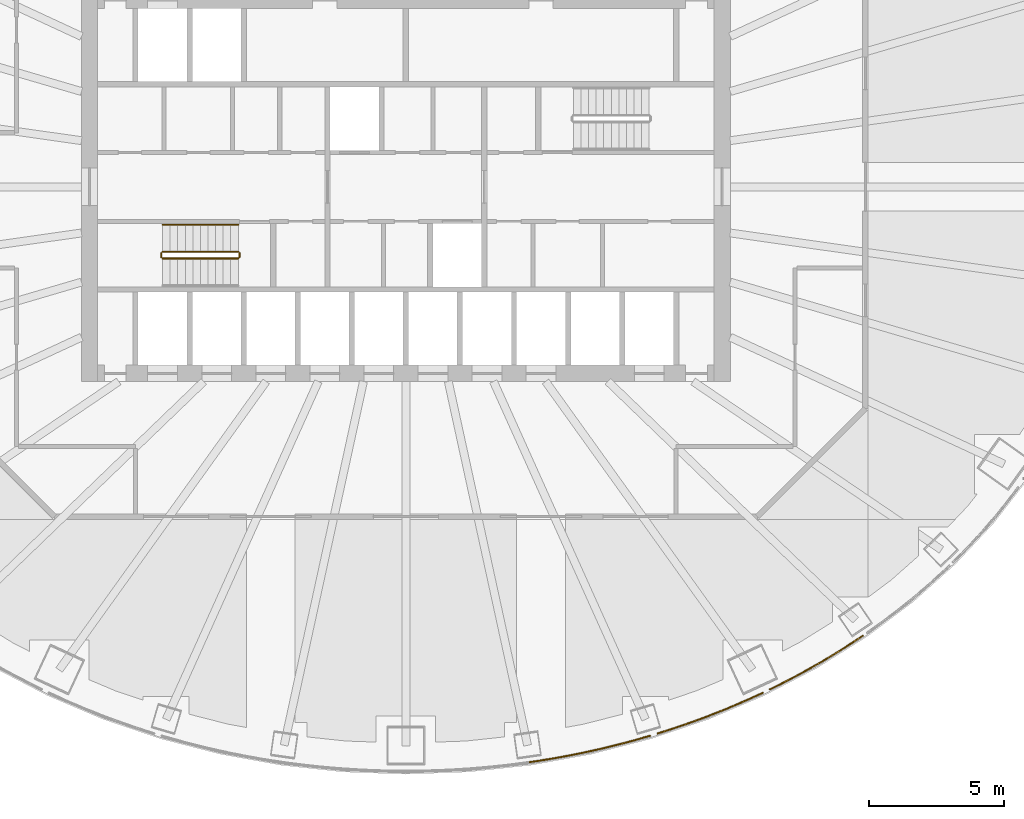
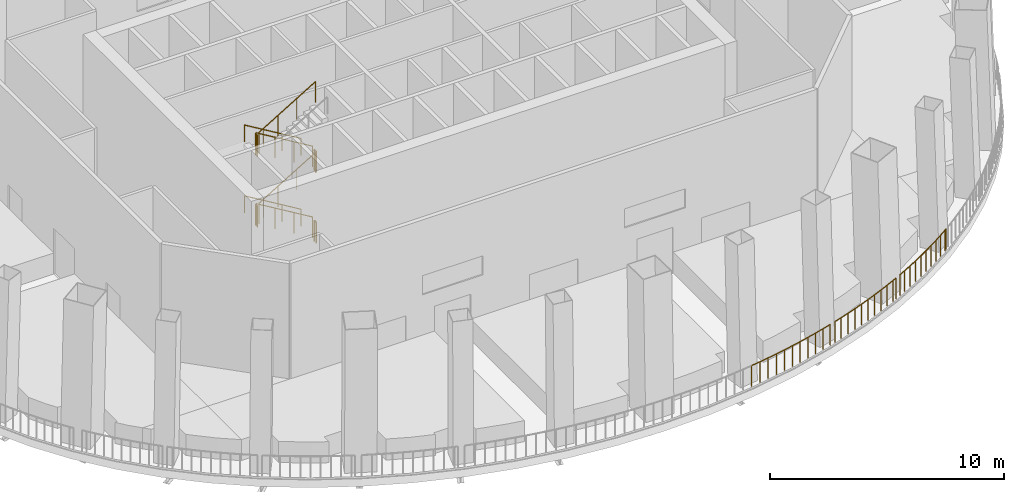
# One storey, part 10 of 13: 13 railings.
"""IFC4 building model written with IfcOpenShell, lengths in metres."""

from ifc_helpers import new_model, si_unit, direction, frame, origin, origin_2d, place, context, subcontext, project, spatial, circle, extrude, material, type_object, element, save


model = new_model("IFC4")

# Units and contexts
model_context = context("Model", 3, precision=1e-05, world=origin(), true_north=direction((0.0, 1.0)))
body_context = subcontext(model_context, "Body", "Model", "MODEL_VIEW")
ifc_project = project(units=[si_unit("LENGTHUNIT", "METRE"), si_unit("AREAUNIT", "SQUARE_METRE"), si_unit("VOLUMEUNIT", "CUBIC_METRE"), si_unit("PLANEANGLEUNIT", "RADIAN"), si_unit("MASSUNIT", "GRAM", prefix="KILO")], contexts=[model_context])

# Site, building, storey
site_placement = place(None, origin())
site = spatial("IfcSite", under=ifc_project, at=site_placement, CompositionType="ELEMENT")
building_placement = place(site_placement, origin())
building = spatial("IfcBuilding", under=site, at=building_placement, Name="Siaravel Broadcast Tower", CompositionType="ELEMENT")
storey_placement = place(building_placement, frame((0.0, 0.0, 85.199951171875)))
storey = spatial("IfcBuildingStorey", under=building, at=storey_placement, Name="L20", CompositionType="ELEMENT", Elevation=85.199951171875)

# Railings
ifc_material_1 = material(Name="Steel S355", Category="steel")
railing_type_1 = type_object("IfcRailingType", Name="Guard 1100", PredefinedType="GUARDRAIL", material=ifc_material_1)
railing_1_placement = place(storey_placement, frame((4.5859375, -21.2822265625, 0.080078125)))
element("IfcRailing", 1, at=railing_1_placement, inside=storey, type_object=railing_type_1, Name="L20 sky garden guard 29", PredefinedType="GUARDRAIL", context=body_context, shape_type="SweptSolid", body=[
    extrude(circle(Radius=0.02392578125, at=origin_2d()), frame((0.0, 0.0, 1.076171875), z_axis=(0.988744163, 0.149616107, 0.0), x_axis=(-0.149616107, 0.988744163, 0.0)), (0.0, 0.0, 1.0), 0.45849609375),
    extrude(circle(Radius=0.02392578125, at=origin_2d()), frame((0.453369140625, 0.068603515625, 1.076171875), z_axis=(0.986408338, 0.164312476, 0.0), x_axis=(-0.164312476, 0.986408338, 0.0)), (0.0, 0.0, 1.0), 0.45751953125),
    extrude(circle(Radius=0.02392578125, at=origin_2d()), frame((0.90478515625, 0.143798828125, 1.076171875), z_axis=(0.983895511, 0.178744575, 0.0), x_axis=(-0.178744575, 0.983895511, 0.0)), (0.0, 0.0, 1.0), 0.45751953125),
    extrude(circle(Radius=0.02392578125, at=origin_2d()), frame((1.35498046875, 0.2255859375, 1.076171875), z_axis=(0.981293946, 0.192515433, 0.0), x_axis=(-0.192515433, 0.981293946, 0.0)), (0.0, 0.0, 1.0), 0.45654296875),
    extrude(circle(Radius=0.02392578125, at=origin_2d()), frame((1.802978515625, 0.3134765625, 1.076171875), z_axis=(0.978316348, 0.207116207, 0.0), x_axis=(-0.207116207, 0.978316348, 0.0)), (0.0, 0.0, 1.0), 0.456298828125),
    extrude(circle(Radius=0.02392578125, at=origin_2d()), frame((2.249267578125, 0.407958984375, 1.076171875), z_axis=(0.97518023, 0.221412554, 0.0), x_axis=(-0.221412554, 0.97518023, 0.0)), (0.0, 0.0, 1.0), 0.455322265625),
    extrude(circle(Radius=0.02392578125, at=origin_2d()), frame((2.693359375, 0.5087890625, 1.076171875), z_axis=(0.971853829, 0.235584666, 0.0), x_axis=(-0.235584666, 0.971853829, 0.0)), (0.0, 0.0, 1.0), 0.454833984375),
    extrude(circle(Radius=0.02392578125, at=origin_2d()), frame((3.135498046875, 0.615966796875, 1.076171875), z_axis=(0.968344469, 0.249617685, 0.0), x_axis=(-0.249617685, 0.968344469, 0.0)), (0.0, 0.0, 1.0), 0.453857421875),
    extrude(circle(Radius=0.02392578125, at=origin_2d()), frame((3.574951171875, 0.729248046875, 1.076171875), z_axis=(0.964415038, 0.264392956, 0.0), x_axis=(-0.264392956, 0.964415038, 0.0)), (0.0, 0.0, 1.0), 0.453369140625),
    extrude(circle(Radius=0.02392578125, at=origin_2d()), frame((4.01220703125, 0.84912109375, 1.076171875), z_axis=(0.960560469, 0.278071187, 0.0), x_axis=(-0.278071187, 0.960560469, 0.0)), (0.0, 0.0, 1.0), 0.4521484375),
    extrude(circle(Radius=0.02099609375, at=origin_2d()), origin(), (0.0, 0.0, 1.0), 1.052001953125),
    extrude(circle(Radius=0.02099609375, at=origin_2d()), frame((0.453369140625, 0.068603515625, 0.0)), (0.0, 0.0, 1.0), 1.052001953125),
    extrude(circle(Radius=0.02099609375, at=origin_2d()), frame((0.90478515625, 0.143798828125, 0.0)), (0.0, 0.0, 1.0), 1.052001953125),
    extrude(circle(Radius=0.02099609375, at=origin_2d()), frame((1.35498046875, 0.2255859375, 0.0)), (0.0, 0.0, 1.0), 1.052001953125),
    extrude(circle(Radius=0.02099609375, at=origin_2d()), frame((1.802978515625, 0.3134765625, 0.0)), (0.0, 0.0, 1.0), 1.052001953125),
    extrude(circle(Radius=0.02099609375, at=origin_2d()), frame((2.249267578125, 0.407958984375, 0.0)), (0.0, 0.0, 1.0), 1.052001953125),
    extrude(circle(Radius=0.02099609375, at=origin_2d()), frame((2.693359375, 0.5087890625, 0.0)), (0.0, 0.0, 1.0), 1.052001953125),
    extrude(circle(Radius=0.02099609375, at=origin_2d()), frame((3.135498046875, 0.615966796875, 0.0)), (0.0, 0.0, 1.0), 1.052001953125),
    extrude(circle(Radius=0.02099609375, at=origin_2d()), frame((3.574951171875, 0.729248046875, 0.0)), (0.0, 0.0, 1.0), 1.052001953125),
    extrude(circle(Radius=0.02099609375, at=origin_2d()), frame((4.01220703125, 0.84912109375, 0.0)), (0.0, 0.0, 1.0), 1.052001953125),
    extrude(circle(Radius=0.02099609375, at=origin_2d()), frame((4.446533203125, 0.974853515625, 0.0)), (0.0, 0.0, 1.0), 1.052001953125),
])
railing_2_placement = place(storey_placement, frame((9.3115234375, -20.22265625, 0.080078125)))
element("IfcRailing", 2, at=railing_2_placement, inside=storey, type_object=railing_type_1, Name="L20 sky garden guard 30", PredefinedType="GUARDRAIL", context=body_context, shape_type="SweptSolid", body=[
    extrude(circle(Radius=0.02392578125, at=origin_2d()), frame((0.0, 0.0, 1.076171875), z_axis=(0.953869406, 0.300221845, 0.0), x_axis=(-0.300221845, 0.953869406, 0.0)), (0.0, 0.0, 1.0), 0.385498046875),
    extrude(circle(Radius=0.02392578125, at=origin_2d()), frame((0.36767578125, 0.11572265625, 1.076171875), z_axis=(0.949386197, 0.314111205, 0.0), x_axis=(-0.314111205, 0.949386197, 0.0)), (0.0, 0.0, 1.0), 0.449951171875),
    extrude(circle(Radius=0.02392578125, at=origin_2d()), frame((0.794921875, 0.257080078125, 1.076171875), z_axis=(0.944584748, 0.328267657, 0.0), x_axis=(-0.328267657, 0.944584748, 0.0)), (0.0, 0.0, 1.0), 0.44921875),
    extrude(circle(Radius=0.02392578125, at=origin_2d()), frame((1.21923828125, 0.404541015625, 1.076171875), z_axis=(0.939666121, 0.342092942, 0.0), x_axis=(-0.342092942, 0.939666121, 0.0)), (0.0, 0.0, 1.0), 0.4482421875),
    extrude(circle(Radius=0.02392578125, at=origin_2d()), frame((1.640380859375, 0.557861328125, 1.076171875), z_axis=(0.934201835, 0.356744911, 0.0), x_axis=(-0.356744911, 0.934201835, 0.0)), (0.0, 0.0, 1.0), 0.44677734375),
    extrude(circle(Radius=0.02392578125, at=origin_2d()), frame((2.057861328125, 0.71728515625, 1.076171875), z_axis=(0.928816023, 0.370541219, 0.0), x_axis=(-0.370541219, 0.928816023, 0.0)), (0.0, 0.0, 1.0), 0.446044921875),
    extrude(circle(Radius=0.02392578125, at=origin_2d()), frame((2.47216796875, 0.882568359375, 1.076171875), z_axis=(0.922930837, 0.384965804, 0.0), x_axis=(-0.384965804, 0.922930837, 0.0)), (0.0, 0.0, 1.0), 0.4453125),
    extrude(circle(Radius=0.02392578125, at=origin_2d()), frame((2.883056640625, 1.053955078125, 1.076171875), z_axis=(0.917026322, 0.398826685, 0.0), x_axis=(-0.398826685, 0.917026322, 0.0)), (0.0, 0.0, 1.0), 0.44384765625),
    extrude(circle(Radius=0.02392578125, at=origin_2d()), frame((3.2900390625, 1.23095703125, 1.076171875), z_axis=(0.910668474, 0.413137908, 0.0), x_axis=(-0.413137908, 0.910668474, 0.0)), (0.0, 0.0, 1.0), 0.442626953125),
    extrude(circle(Radius=0.02392578125, at=origin_2d()), frame((3.693115234375, 1.413818359375, 1.076171875), z_axis=(0.905843772, 0.423611923, 0.0), x_axis=(-0.423611923, 0.905843772, 0.0)), (0.0, 0.0, 1.0), 0.220703125),
    extrude(circle(Radius=0.02099609375, at=origin_2d()), origin(), (0.0, 0.0, 1.0), 1.052001953125),
    extrude(circle(Radius=0.02099609375, at=origin_2d()), frame((0.36767578125, 0.11572265625, 0.0)), (0.0, 0.0, 1.0), 1.052001953125),
    extrude(circle(Radius=0.02099609375, at=origin_2d()), frame((0.794921875, 0.257080078125, 0.0)), (0.0, 0.0, 1.0), 1.052001953125),
    extrude(circle(Radius=0.02099609375, at=origin_2d()), frame((1.21923828125, 0.404541015625, 0.0)), (0.0, 0.0, 1.0), 1.052001953125),
    extrude(circle(Radius=0.02099609375, at=origin_2d()), frame((1.640380859375, 0.557861328125, 0.0)), (0.0, 0.0, 1.0), 1.052001953125),
    extrude(circle(Radius=0.02099609375, at=origin_2d()), frame((2.057861328125, 0.71728515625, 0.0)), (0.0, 0.0, 1.0), 1.052001953125),
    extrude(circle(Radius=0.02099609375, at=origin_2d()), frame((2.47216796875, 0.882568359375, 0.0)), (0.0, 0.0, 1.0), 1.052001953125),
    extrude(circle(Radius=0.02099609375, at=origin_2d()), frame((2.883056640625, 1.053955078125, 0.0)), (0.0, 0.0, 1.0), 1.052001953125),
    extrude(circle(Radius=0.02099609375, at=origin_2d()), frame((3.2900390625, 1.23095703125, 0.0)), (0.0, 0.0, 1.0), 1.052001953125),
    extrude(circle(Radius=0.02099609375, at=origin_2d()), frame((3.693115234375, 1.413818359375, 0.0)), (0.0, 0.0, 1.0), 1.052001953125),
    extrude(circle(Radius=0.02099609375, at=origin_2d()), frame((3.89306640625, 1.50732421875, 0.0)), (0.0, 0.0, 1.0), 1.052001953125),
])
railing_3_placement = place(storey_placement, frame((13.467529296875, -18.58935546875, 0.080078125)))
element("IfcRailing", 3, at=railing_3_placement, inside=storey, type_object=railing_type_1, Name="L20 sky garden guard 31", PredefinedType="GUARDRAIL", context=body_context, shape_type="SweptSolid", body=[
    extrude(circle(Radius=0.02392578125, at=origin_2d()), frame((0.0, 0.0, 1.076171875), z_axis=(0.896924739, 0.442183235, 0.0), x_axis=(-0.442183235, 0.896924739, 0.0)), (0.0, 0.0, 1.0), 0.369384765625),
    extrude(circle(Radius=0.02392578125, at=origin_2d()), frame((0.331298828125, 0.163330078125, 1.076171875), z_axis=(0.89049979, 0.454983653, 0.0), x_axis=(-0.454983653, 0.89049979, 0.0)), (0.0, 0.0, 1.0), 0.43896484375),
    extrude(circle(Radius=0.02392578125, at=origin_2d()), frame((0.72216796875, 0.363037109375, 1.076171875), z_axis=(0.883000212, 0.469372587, 0.0), x_axis=(-0.469372587, 0.883000212, 0.0)), (0.0, 0.0, 1.0), 0.43798828125),
    extrude(circle(Radius=0.02392578125, at=origin_2d()), frame((1.10888671875, 0.568603515625, 1.076171875), z_axis=(0.87544711, 0.483313932, 0.0), x_axis=(-0.483313932, 0.87544711, 0.0)), (0.0, 0.0, 1.0), 0.4365234375),
    extrude(circle(Radius=0.02392578125, at=origin_2d()), frame((1.490966796875, 0.779541015625, 1.076171875), z_axis=(0.86762082, 0.497226421, 0.0), x_axis=(-0.497226421, 0.86762082, 0.0)), (0.0, 0.0, 1.0), 0.43505859375),
    extrude(circle(Radius=0.02392578125, at=origin_2d()), frame((1.868408203125, 0.995849609375, 1.076171875), z_axis=(0.859669452, 0.510850695, 0.0), x_axis=(-0.510850695, 0.859669452, 0.0)), (0.0, 0.0, 1.0), 0.433837890625),
    extrude(circle(Radius=0.02392578125, at=origin_2d()), frame((2.241455078125, 1.217529296875, 1.076171875), z_axis=(0.850998426, 0.525168239, 0.0), x_axis=(-0.525168239, 0.850998426, 0.0)), (0.0, 0.0, 1.0), 0.432373046875),
    extrude(circle(Radius=0.02392578125, at=origin_2d()), frame((2.609375, 1.444580078125, 1.076171875), z_axis=(0.84261061, 0.538523314, 0.0), x_axis=(-0.538523314, 0.84261061, 0.0)), (0.0, 0.0, 1.0), 0.43115234375),
    extrude(circle(Radius=0.02392578125, at=origin_2d()), frame((2.97265625, 1.6767578125, 1.076171875), z_axis=(0.833620557, 0.552337547, 0.0), x_axis=(-0.552337547, 0.833620557, 0.0)), (0.0, 0.0, 1.0), 0.4296875),
    extrude(circle(Radius=0.02392578125, at=origin_2d()), frame((3.330810546875, 1.9140625, 1.076171875), z_axis=(0.826506062, 0.562927819, 0.0), x_axis=(-0.562927819, 0.826506062, 0.0)), (0.0, 0.0, 1.0), 0.129638671875),
    extrude(circle(Radius=0.02099609375, at=origin_2d()), origin(), (0.0, 0.0, 1.0), 1.052001953125),
    extrude(circle(Radius=0.02099609375, at=origin_2d()), frame((0.331298828125, 0.163330078125, 0.0)), (0.0, 0.0, 1.0), 1.052001953125),
    extrude(circle(Radius=0.02099609375, at=origin_2d()), frame((0.72216796875, 0.363037109375, 0.0)), (0.0, 0.0, 1.0), 1.052001953125),
    extrude(circle(Radius=0.02099609375, at=origin_2d()), frame((1.10888671875, 0.568603515625, 0.0)), (0.0, 0.0, 1.0), 1.052001953125),
    extrude(circle(Radius=0.02099609375, at=origin_2d()), frame((1.490966796875, 0.779541015625, 0.0)), (0.0, 0.0, 1.0), 1.052001953125),
    extrude(circle(Radius=0.02099609375, at=origin_2d()), frame((1.868408203125, 0.995849609375, 0.0)), (0.0, 0.0, 1.0), 1.052001953125),
    extrude(circle(Radius=0.02099609375, at=origin_2d()), frame((2.241455078125, 1.217529296875, 0.0)), (0.0, 0.0, 1.0), 1.052001953125),
    extrude(circle(Radius=0.02099609375, at=origin_2d()), frame((2.609375, 1.444580078125, 0.0)), (0.0, 0.0, 1.0), 1.052001953125),
    extrude(circle(Radius=0.02099609375, at=origin_2d()), frame((2.97265625, 1.6767578125, 0.0)), (0.0, 0.0, 1.0), 1.052001953125),
    extrude(circle(Radius=0.02099609375, at=origin_2d()), frame((3.330810546875, 1.9140625, 0.0)), (0.0, 0.0, 1.0), 1.052001953125),
    extrude(circle(Radius=0.02099609375, at=origin_2d()), frame((3.43798828125, 1.987060546875, 0.0)), (0.0, 0.0, 1.0), 1.052001953125),
])
ifc_material_2 = material(Name="Stainless steel 316L", Category="steel")
railing_type_2 = type_object("IfcRailingType", Name="Stair guard 1100", PredefinedType="GUARDRAIL", material=ifc_material_2)
railing_4_placement = place(storey_placement, frame((-6.199951171875, -2.39990234375, 0.168212890625)))
element("IfcRailing", 4, at=railing_4_placement, inside=storey, type_object=railing_type_2, Name="L20 ST-1 stair guard 1", PredefinedType="GUARDRAIL", context=body_context, shape_type="SweptSolid", body=[
    extrude(circle(Radius=0.02392578125, at=origin_2d()), frame((0.0, 0.0, 1.076171875), z_axis=(-0.857242211, 0.0, 0.514913383), x_axis=(0.0, -1.0, 0.0)), (0.0, 0.0, 1.0), 3.266357421875),
    extrude(circle(Radius=0.02099609375, at=origin_2d()), origin(), (0.0, 0.0, 1.0), 1.052001953125),
    extrude(circle(Radius=0.02099609375, at=origin_2d()), frame((-0.933349609375, 0.0, 0.560546875)), (0.0, 0.0, 1.0), 1.052001953125),
    extrude(circle(Radius=0.02099609375, at=origin_2d()), frame((-1.86669921875, 0.0, 1.121337890625)), (0.0, 0.0, 1.0), 1.052001953125),
    extrude(circle(Radius=0.02099609375, at=origin_2d()), frame((-2.800048828125, 0.0, 1.681884765625)), (0.0, 0.0, 1.0), 1.052001953125),
])
railing_5_placement = place(storey_placement, frame((-9.050048828125, -2.449951171875, 1.85009765625)))
element("IfcRailing", 5, at=railing_5_placement, inside=storey, type_object=railing_type_2, Name="L20 ST-1 stair guard 2", PredefinedType="GUARDRAIL", context=body_context, shape_type="SweptSolid", body=[
    extrude(circle(Radius=0.02392578125, at=origin_2d()), frame((0.0, 0.0, 1.076171875), z_axis=(0.0, -1.0, 0.0), x_axis=(1.0, 0.0, 0.0)), (0.0, 0.0, 1.0), 0.150146484375),
    extrude(circle(Radius=0.02099609375, at=origin_2d()), origin(), (0.0, 0.0, 1.0), 1.052001953125),
    extrude(circle(Radius=0.02099609375, at=origin_2d()), frame((0.0, -0.150146484375, 0.0)), (0.0, 0.0, 1.0), 1.052001953125),
])
railing_6_placement = place(storey_placement, frame((-9.0, -2.64990234375, 2.018310546875)))
element("IfcRailing", 6, at=railing_6_placement, inside=storey, type_object=railing_type_2, Name="L20 ST-1 stair guard 3", PredefinedType="GUARDRAIL", context=body_context, shape_type="SweptSolid", body=[
    extrude(circle(Radius=0.02392578125, at=origin_2d()), frame((0.0, 0.0, 1.076171875), z_axis=(0.857275203, 0.0, 0.514858453), x_axis=(0.0, 1.0, 0.0)), (0.0, 0.0, 1.0), 3.26611328125),
    extrude(circle(Radius=0.02099609375, at=origin_2d()), origin(), (0.0, 0.0, 1.0), 1.052001953125),
    extrude(circle(Radius=0.02099609375, at=origin_2d()), frame((0.933349609375, 0.0, 0.560546875)), (0.0, 0.0, 1.0), 1.052001953125),
    extrude(circle(Radius=0.02099609375, at=origin_2d()), frame((1.86669921875, 0.0, 1.12109375)), (0.0, 0.0, 1.0), 1.052001953125),
    extrude(circle(Radius=0.02099609375, at=origin_2d()), frame((2.800048828125, 0.0, 1.681640625)), (0.0, 0.0, 1.0), 1.052001953125),
])
railing_7_placement = place(storey_placement, frame((-6.14990234375, -2.449951171875, 3.699951171875)))
element("IfcRailing", 7, at=railing_7_placement, inside=storey, type_object=railing_type_2, Name="L20 ST-1 stair guard 4", PredefinedType="GUARDRAIL", context=body_context, shape_type="SweptSolid", body=[
    extrude(circle(Radius=0.02392578125, at=origin_2d()), frame((0.0, 0.0, 1.076171875), z_axis=(0.0, -1.0, 0.0), x_axis=(1.0, 0.0, 0.0)), (0.0, 0.0, 1.0), 0.150146484375),
    extrude(circle(Radius=0.02099609375, at=origin_2d()), origin(), (0.0, 0.0, 1.0), 1.052001953125),
    extrude(circle(Radius=0.02099609375, at=origin_2d()), frame((0.0, -0.150146484375, 0.0)), (0.0, 0.0, 1.0), 1.052001953125),
])
railing_8_placement = place(storey_placement, frame((-6.199951171875, -2.39990234375, 3.8681640625)))
element("IfcRailing", 8, at=railing_8_placement, inside=storey, type_object=railing_type_2, Name="L20 ST-1 stair guard 5", PredefinedType="GUARDRAIL", context=body_context, shape_type="SweptSolid", body=[
    extrude(circle(Radius=0.02392578125, at=origin_2d()), frame((0.0, 0.0, 1.076171875), z_axis=(-0.857242211, 0.0, 0.514913383), x_axis=(0.0, -1.0, 0.0)), (0.0, 0.0, 1.0), 3.266357421875),
    extrude(circle(Radius=0.02099609375, at=origin_2d()), origin(), (0.0, 0.0, 1.0), 1.052001953125),
    extrude(circle(Radius=0.02099609375, at=origin_2d()), frame((-0.933349609375, 0.0, 0.560546875)), (0.0, 0.0, 1.0), 1.052001953125),
    extrude(circle(Radius=0.02099609375, at=origin_2d()), frame((-1.86669921875, 0.0, 1.121337890625)), (0.0, 0.0, 1.0), 1.052001953125),
    extrude(circle(Radius=0.02099609375, at=origin_2d()), frame((-2.800048828125, 0.0, 1.681884765625)), (0.0, 0.0, 1.0), 1.052001953125),
])
railing_9_placement = place(storey_placement, frame((-9.050048828125, -2.449951171875, 5.550048828125)))
element("IfcRailing", 9, at=railing_9_placement, inside=storey, type_object=railing_type_2, Name="L20 ST-1 stair guard 6", PredefinedType="GUARDRAIL", context=body_context, shape_type="SweptSolid", body=[
    extrude(circle(Radius=0.02392578125, at=origin_2d()), frame((0.0, 0.0, 1.076171875), z_axis=(0.0, -1.0, 0.0), x_axis=(1.0, 0.0, 0.0)), (0.0, 0.0, 1.0), 0.150146484375),
    extrude(circle(Radius=0.02099609375, at=origin_2d()), origin(), (0.0, 0.0, 1.0), 1.052001953125),
    extrude(circle(Radius=0.02099609375, at=origin_2d()), frame((0.0, -0.150146484375, 0.0)), (0.0, 0.0, 1.0), 1.052001953125),
])
railing_10_placement = place(storey_placement, frame((-9.0, -2.64990234375, 5.71826171875)))
element("IfcRailing", 10, at=railing_10_placement, inside=storey, type_object=railing_type_2, Name="L20 ST-1 stair guard 7", PredefinedType="GUARDRAIL", context=body_context, shape_type="SweptSolid", body=[
    extrude(circle(Radius=0.02392578125, at=origin_2d()), frame((0.0, 0.0, 1.076171875), z_axis=(0.857242211, 0.0, 0.514913383), x_axis=(0.0, 1.0, 0.0)), (0.0, 0.0, 1.0), 3.266357421875),
    extrude(circle(Radius=0.02099609375, at=origin_2d()), origin(), (0.0, 0.0, 1.0), 1.052001953125),
    extrude(circle(Radius=0.02099609375, at=origin_2d()), frame((0.933349609375, 0.0, 0.560546875)), (0.0, 0.0, 1.0), 1.052001953125),
    extrude(circle(Radius=0.02099609375, at=origin_2d()), frame((1.86669921875, 0.0, 1.121337890625)), (0.0, 0.0, 1.0), 1.052001953125),
    extrude(circle(Radius=0.02099609375, at=origin_2d()), frame((2.800048828125, 0.0, 1.681884765625)), (0.0, 0.0, 1.0), 1.052001953125),
])
railing_11_placement = place(storey_placement, frame((-6.14990234375, -2.449951171875, 0.0)))
element("IfcRailing", 11, at=railing_11_placement, inside=storey, type_object=railing_type_2, Name="L20 ST-1 stair guard 8", PredefinedType="GUARDRAIL", context=body_context, shape_type="SweptSolid", body=[
    extrude(circle(Radius=0.02392578125, at=origin_2d()), frame((0.0, 0.0, 1.076171875), z_axis=(0.0, -1.0, 0.0), x_axis=(1.0, 0.0, 0.0)), (0.0, 0.0, 1.0), 0.150146484375),
    extrude(circle(Radius=0.02099609375, at=origin_2d()), origin(), (0.0, 0.0, 1.0), 1.052001953125),
    extrude(circle(Radius=0.02099609375, at=origin_2d()), frame((0.0, -0.150146484375, 0.0)), (0.0, 0.0, 1.0), 1.052001953125),
])
railing_type_3 = type_object("IfcRailingType", Name="Stair handrail 900", PredefinedType="HANDRAIL", material=ifc_material_2)
for number, where, name in (
    (12, (-6.199951171875, -1.39990234375, 0.168212890625), "L20 ST-1 stair handrail 1"),
    (13, (-6.199951171875, -1.39990234375, 3.8681640625), "L20 ST-1 stair handrail 3"),
):
    element("IfcRailing", number, at=place(storey_placement, frame(where)), inside=storey, type_object=railing_type_3, Name=name, PredefinedType="HANDRAIL", context=body_context, shape_type="SweptSolid", body=[
        extrude(circle(Radius=0.02392578125, at=origin_2d()), frame((0.0, 0.0, 0.8759765625), z_axis=(-0.857242211, 0.0, 0.514913383), x_axis=(0.0, -1.0, 0.0)), (0.0, 0.0, 1.0), 3.266357421875),
        extrude(circle(Radius=0.02099609375, at=origin_2d()), origin(), (0.0, 0.0, 1.0), 0.851806640625),
        extrude(circle(Radius=0.02099609375, at=origin_2d()), frame((-0.933349609375, 0.0, 0.560546875)), (0.0, 0.0, 1.0), 0.851806640625),
        extrude(circle(Radius=0.02099609375, at=origin_2d()), frame((-1.86669921875, 0.0, 1.121337890625)), (0.0, 0.0, 1.0), 0.851806640625),
        extrude(circle(Radius=0.02099609375, at=origin_2d()), frame((-2.800048828125, 0.0, 1.681884765625)), (0.0, 0.0, 1.0), 0.851806640625),
    ])

save(model, "model.ifc")
